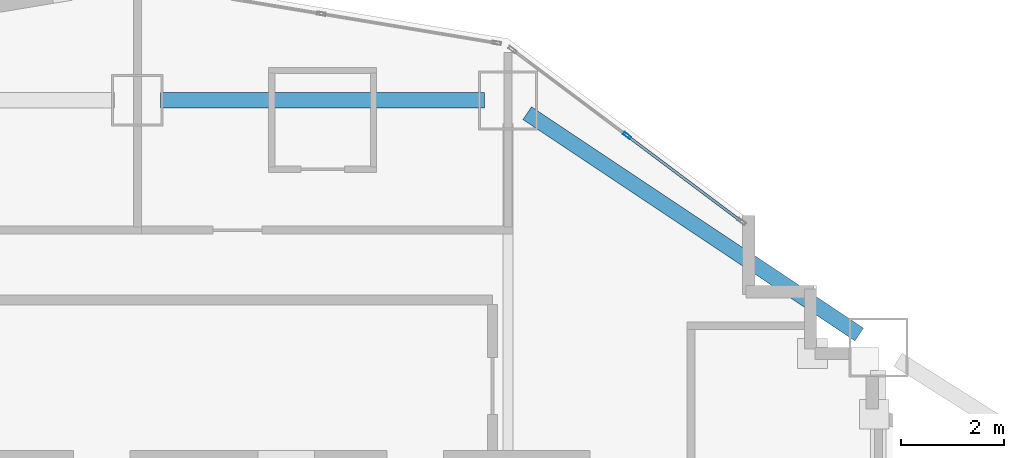
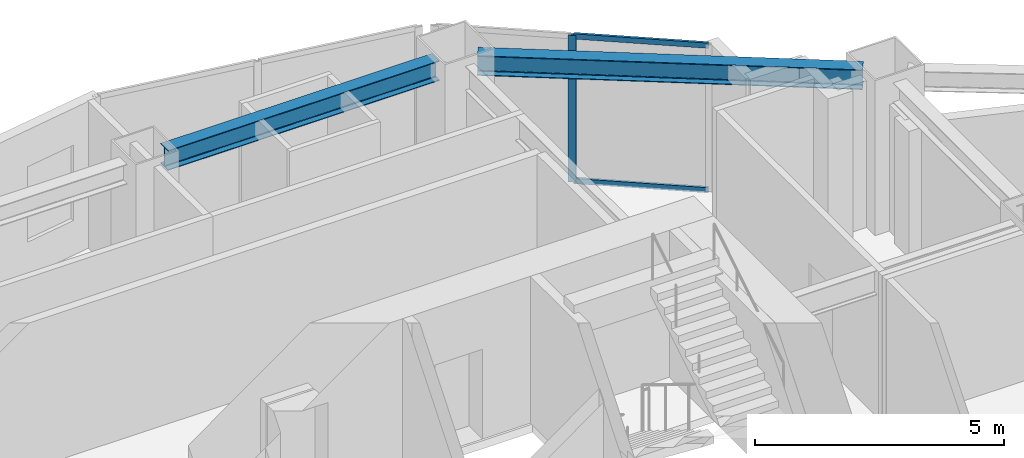
# One storey, part 3 of 15: 3 members, 2 beams, 1 element without a shape of its own.
"""IFC4 building model written with IfcOpenShell, lengths in metres."""

from ifc_helpers import new_model, si_unit, direction, frame, origin, origin_2d, place, context, subcontext, project, spatial, hollow_rectangle, i_section, extrude, material, layer, layer_set, material_profile, profile_set, type_object, element, aggregate, save


model = new_model("IFC4")

# Units and contexts
model_context = context("Model", 3, precision=1e-05, world=origin(), true_north=direction((0.0, 1.0)))
body_context = subcontext(model_context, "Body", "Model", "MODEL_VIEW")
ifc_project = project(units=[si_unit("LENGTHUNIT", "METRE"), si_unit("AREAUNIT", "SQUARE_METRE"), si_unit("VOLUMEUNIT", "CUBIC_METRE"), si_unit("PLANEANGLEUNIT", "RADIAN"), si_unit("MASSUNIT", "GRAM", prefix="KILO")], contexts=[model_context])

# Site, building, storey
site_placement = place(None, origin())
site = spatial("IfcSite", under=ifc_project, at=site_placement, CompositionType="ELEMENT")
building_placement = place(site_placement, origin())
building = spatial("IfcBuilding", under=site, at=building_placement, Name="Haolan Belvedere Tower", CompositionType="ELEMENT")
storey_placement = place(building_placement, frame((0.0, 0.0, 66.60009765625)))
storey = spatial("IfcBuildingStorey", under=building, at=storey_placement, Name="L16", CompositionType="ELEMENT", Elevation=66.60009765625)

# Beams
ifc_material_1 = material(Name="Steel Q355B", Category="steel")
ifc_material_profile_1 = material_profile(ifc_material_1, i_section(OverallWidth=0.300048828125, OverallDepth=0.488037109375, WebThickness=0.010986328125, FlangeThickness=0.01806640625, FilletRadius=0.02587890625, at=origin_2d()), Name="Steel Q355B")
ifc_profile_set_1 = profile_set([ifc_material_profile_1], Name="Steel Q355B")
beam_type = type_object("IfcBeamType", Name="BM-HM488x300x11x18", PredefinedType="SPANDREL", material=ifc_profile_set_1)
beam_1_placement = place(storey_placement, frame((38.85009765625, 50.39990234375, 3.35595703125), z_axis=(1.0, 0.0, 0.0), x_axis=(0.0, 1.0, 0.0)))
element("IfcBeam", 1, at=beam_1_placement, inside=storey, type_object=beam_type, Name="L16 spandrel girder TC-T3-NM-MC-T3-N2", PredefinedType="SPANDREL", context=body_context, shape_type="SweptSolid", body=[
    extrude(i_section(OverallWidth=0.300048828125, OverallDepth=0.488037109375, WebThickness=0.010986328125, FlangeThickness=0.01806640625, FilletRadius=0.02587890625, at=origin_2d()), origin(), (0.0, 0.0, 1.0), 6.2998046875),
])
beam_2_placement = place(storey_placement, frame((45.974365234375, 50.150390625, 3.35595703125), z_axis=(0.832050294338, -0.554700196225, 0.0), x_axis=(0.554700196225, 0.832050294338, 0.0)))
element("IfcBeam", 2, at=beam_2_placement, inside=storey, type_object=beam_type, Name="L16 spandrel girder MC-T3-N2-MC-T3-NE", PredefinedType="SPANDREL", context=body_context, shape_type="SweptSolid", body=[
    extrude(i_section(OverallWidth=0.300048828125, OverallDepth=0.488037109375, WebThickness=0.010986328125, FlangeThickness=0.01806640625, FilletRadius=0.02587890625, at=origin_2d()), origin(), (0.0, 0.0, 1.0), 7.75341796875),
])

# Curtain wall, members
ifc_material_2 = material(Name="Anodised champagne-silver aluminium 6063-T6 and Low-E glass", Category="aluminium")
ifc_layer = layer(ifc_material_2, 0.1650390625, Name="Anodised champagne-silver aluminium 6063-T6 and Low-E glass")
ifc_layer_set = layer_set([ifc_layer], Name="Anodised champagne-silver aluminium 6063-T6 and Low-E glass")
curtain_wall_type = type_object("IfcCurtainWallType", Name="CW-SYS-02", PredefinedType="NOTDEFINED", material=ifc_layer_set)
curtain_wall_placement = place(storey_placement, origin())
curtain_wall = element("IfcCurtainWall", 3, at=curtain_wall_placement, inside=storey, type_object=curtain_wall_type, Name="L16 CW-SYS-02 ribbon curtain wall 41.1", PredefinedType="NOTDEFINED")
ifc_material_3 = material(Name="Anodised aluminium 6063-T6", Category="aluminium")
ifc_material_profile_2 = material_profile(ifc_material_3, hollow_rectangle(XDim=0.06005859375, YDim=0.1650390625, WallThickness=0.00390625, at=origin_2d()), Name="Anodised aluminium 6063-T6")
ifc_profile_set_2 = profile_set([ifc_material_profile_2], Name="Anodised aluminium 6063-T6")
member_type_1 = type_object("IfcMemberType", Name="CW-SYS-02-MUL", PredefinedType="MULLION", material=ifc_profile_set_2)
member_1_placement = place(storey_placement, frame((47.915771484375, 49.713134765625, 0.0), z_axis=(0.0, 0.0, 1.0), x_axis=(-0.599994316874, -0.800004262313, 0.0)))
member_1 = element("IfcMember", 4, at=member_1_placement, type_object=member_type_1, Name="CW-02 mullion 2", PredefinedType="MULLION", context=body_context, shape_type="SweptSolid", body=[
    extrude(hollow_rectangle(XDim=0.06005859375, YDim=0.1650390625, WallThickness=0.00390625, at=origin_2d()), origin(), (0.0, 0.0, 1.0), 3.599853515625),
])
ifc_material_profile_3 = material_profile(ifc_material_3, hollow_rectangle(XDim=0.054931640625, YDim=0.1298828125, WallThickness=0.00390625, at=origin_2d()), Name="Anodised aluminium 6063-T6")
ifc_profile_set_3 = profile_set([ifc_material_profile_3], Name="Anodised aluminium 6063-T6")
member_type_2 = type_object("IfcMemberType", Name="CW-SYS-02-TRN", PredefinedType="USERDEFINED", material=ifc_profile_set_3)
member_2_placement = place(storey_placement, frame((50.1201171875, 48.06005859375, 0.02734375), z_axis=(-0.800010749092, 0.599985667609, 0.0), x_axis=(-0.599985667609, -0.800010749092, 0.0)))
member_2 = element("IfcMember", 5, at=member_2_placement, type_object=member_type_2, Name="CW-02 transom 1.1", ObjectType="TRANSOM", PredefinedType="USERDEFINED", context=body_context, shape_type="SweptSolid", body=[
    extrude(hollow_rectangle(XDim=0.054931640625, YDim=0.1298828125, WallThickness=0.00390625, at=origin_2d()), origin(), (0.0, 0.0, 1.0), 2.7255859375),
])
member_3_placement = place(storey_placement, frame((50.1201171875, 48.06005859375, 3.572509765625), z_axis=(-0.800010749092, 0.599985667609, 0.0), x_axis=(-0.599985667609, -0.800010749092, 0.0)))
member_3 = element("IfcMember", 6, at=member_3_placement, type_object=member_type_2, Name="CW-02 transom 1.2", ObjectType="TRANSOM", PredefinedType="USERDEFINED", context=body_context, shape_type="SweptSolid", body=[
    extrude(hollow_rectangle(XDim=0.054931640625, YDim=0.1298828125, WallThickness=0.00390625, at=origin_2d()), origin(), (0.0, 0.0, 1.0), 2.7255859375),
])
aggregate(curtain_wall, [member_1, member_2, member_3])

save(model, "model.ifc")
